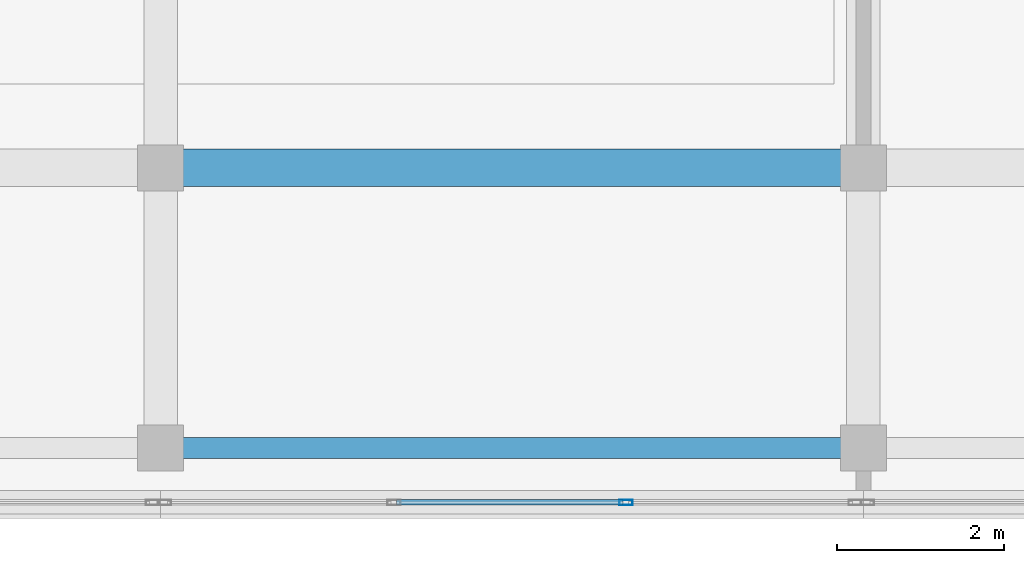
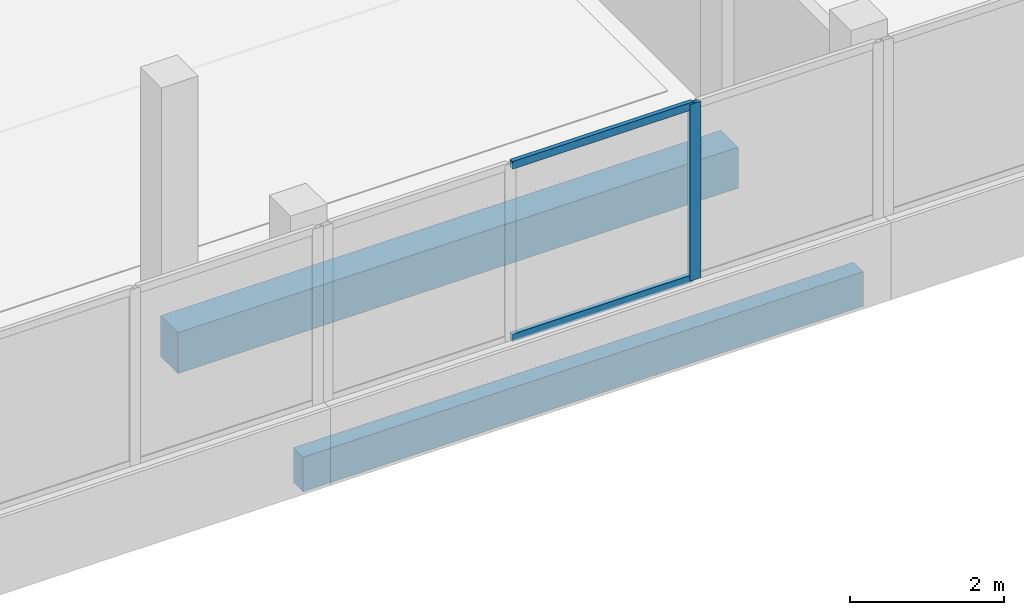
# One storey, part 35 of 67: 3 members, 2 beams, 1 element without a shape of its own.
"""IFC4 building model written with IfcOpenShell, lengths in metres."""

from ifc_helpers import new_model, si_unit, direction, frame, origin, origin_2d, place, context, subcontext, project, spatial, rectangle, hollow_rectangle, extrude, material, material_profile, profile_set, type_object, element, aggregate, save


model = new_model("IFC4")

# Units and contexts
model_context = context("Model", 3, precision=1e-05, world=origin(), true_north=direction((0.0, 1.0)))
body_context = subcontext(model_context, "Body", "Model", "MODEL_VIEW")
ifc_project = project(units=[si_unit("LENGTHUNIT", "METRE"), si_unit("AREAUNIT", "SQUARE_METRE"), si_unit("VOLUMEUNIT", "CUBIC_METRE"), si_unit("PLANEANGLEUNIT", "RADIAN"), si_unit("MASSUNIT", "GRAM", prefix="KILO")], contexts=[model_context])

# Site, building, storey
site_placement = place(None, origin())
site = spatial("IfcSite", under=ifc_project, at=site_placement, CompositionType="ELEMENT")
building_placement = place(site_placement, origin())
building = spatial("IfcBuilding", under=site, at=building_placement, Name="Selatvlak General Hospital", CompositionType="ELEMENT")
storey_placement = place(building_placement, frame((0.0, 0.0, 35.39990234375)))
storey = spatial("IfcBuildingStorey", under=building, at=storey_placement, Name="L08", CompositionType="ELEMENT", Elevation=35.39990234375)

# Beams
ifc_material_1 = material(Name="Concrete C40/50", Category="concrete")
ifc_material_profile_1 = material_profile(ifc_material_1, rectangle(XDim=0.449951171875, YDim=0.64990234375, at=origin_2d()), Name="RC-BM 450x650")
ifc_profile_set_1 = profile_set([ifc_material_profile_1], Name="Concrete C40/50")
beam_type_1 = type_object("IfcBeamType", Name="BM-G04", PredefinedType="BEAM", material=ifc_profile_set_1)
beam_1_placement = place(storey_placement, frame((132.0, 92.0, -0.58984375), z_axis=(1.0, 0.0, 0.0), x_axis=(0.0, 1.0, 0.0)))
element("IfcBeam", 1, at=beam_1_placement, inside=storey, type_object=beam_type_1, Name="Beam BMR-L08-2581", PredefinedType="BEAM", context=body_context, shape_type="SweptSolid", body=[
    extrude(rectangle(XDim=0.449951171875, YDim=0.64990234375, at=origin_2d()), origin(), (0.0, 0.0, 1.0), 8.39990234375),
])
ifc_material_profile_2 = material_profile(ifc_material_1, rectangle(XDim=0.25, YDim=0.550048828125, at=origin_2d()), Name="RC-SP 250x550")
ifc_profile_set_2 = profile_set([ifc_material_profile_2], Name="Concrete C40/50")
beam_type_2 = type_object("IfcBeamType", Name="BM-SP2", PredefinedType="SPANDREL", material=ifc_profile_set_2)
beam_2_placement = place(storey_placement, frame((132.0, 88.64990234375, -0.539794921875), z_axis=(1.0, 0.0, 0.0), x_axis=(0.0, 1.0, 0.0)))
element("IfcBeam", 2, at=beam_2_placement, inside=storey, type_object=beam_type_2, Name="Beam BMR-L08-2564", PredefinedType="SPANDREL", context=body_context, shape_type="SweptSolid", body=[
    extrude(rectangle(XDim=0.25, YDim=0.550048828125, at=origin_2d()), origin(), (0.0, 0.0, 1.0), 8.39990234375),
])

# Curtain wall, members
ifc_material_2 = material(Name="Solar-control Low-E double glazing", Category="glass")
curtain_wall_type = type_object("IfcCurtainWallType", Name="CW-CW-02", PredefinedType="USERDEFINED", material=ifc_material_2)
curtain_wall_placement = place(storey_placement, origin())
curtain_wall = element("IfcCurtainWall", 3, at=curtain_wall_placement, inside=storey, type_object=curtain_wall_type, Name="Glazed facade curtain wall CW-L08-0703", ObjectType="UNITISED CURTAIN WALL", PredefinedType="USERDEFINED")
ifc_material_3 = material(Name="Dark anodised aluminium mullion", Category="aluminium")
ifc_material_profile_3 = material_profile(ifc_material_3, hollow_rectangle(XDim=0.06494140625, YDim=0.159912109375, WallThickness=0.00390625, at=origin_2d()), Name="AL-MUL 65x160x4")
ifc_profile_set_3 = profile_set([ifc_material_profile_3], Name="Dark anodised aluminium mullion")
member_type_1 = type_object("IfcMemberType", Name="CWM-01", PredefinedType="MULLION", material=ifc_profile_set_3)
member_1_placement = place(storey_placement, frame((137.561767578125, 88.0009765625, 0.940185546875), z_axis=(0.0, 0.0, 1.0), x_axis=(0.0, -1.0, 0.0)))
member_1 = element("IfcMember", 4, at=member_1_placement, type_object=member_type_1, Name="CW-02 mullion 2", PredefinedType="MULLION", context=body_context, shape_type="SweptSolid", body=[
    extrude(hollow_rectangle(XDim=0.06494140625, YDim=0.159912109375, WallThickness=0.00390625, at=origin_2d()), origin(), (0.0, 0.0, 1.0), 2.7998046875),
])
ifc_material_profile_4 = material_profile(ifc_material_3, hollow_rectangle(XDim=0.06494140625, YDim=0.1201171875, WallThickness=0.00390625, at=origin_2d()), Name="AL-TRN 65x120x4")
ifc_profile_set_4 = profile_set([ifc_material_profile_4], Name="Dark anodised aluminium mullion")
member_type_2 = type_object("IfcMemberType", Name="CWT-01", PredefinedType="USERDEFINED", material=ifc_profile_set_4)
member_2_placement = place(storey_placement, frame((137.529052734375, 88.0009765625, 0.97265625), z_axis=(-1.0, 0.0, 0.0), x_axis=(0.0, -1.0, 0.0)))
member_2 = element("IfcMember", 5, at=member_2_placement, type_object=member_type_2, Name="CW-02 transom 2.1", ObjectType="TRANSOM", PredefinedType="USERDEFINED", context=body_context, shape_type="SweptSolid", body=[
    extrude(hollow_rectangle(XDim=0.06494140625, YDim=0.1201171875, WallThickness=0.00390625, at=origin_2d()), origin(), (0.0, 0.0, 1.0), 2.708251953125),
])
member_3_placement = place(storey_placement, frame((137.529052734375, 88.0009765625, 3.70751953125), z_axis=(-1.0, 0.0, 0.0), x_axis=(0.0, -1.0, 0.0)))
member_3 = element("IfcMember", 6, at=member_3_placement, type_object=member_type_2, Name="CW-02 transom 2.2", ObjectType="TRANSOM", PredefinedType="USERDEFINED", context=body_context, shape_type="SweptSolid", body=[
    extrude(hollow_rectangle(XDim=0.06494140625, YDim=0.1201171875, WallThickness=0.00390625, at=origin_2d()), origin(), (0.0, 0.0, 1.0), 2.708251953125),
])
aggregate(curtain_wall, [member_1, member_2, member_3])

save(model, "model.ifc")
